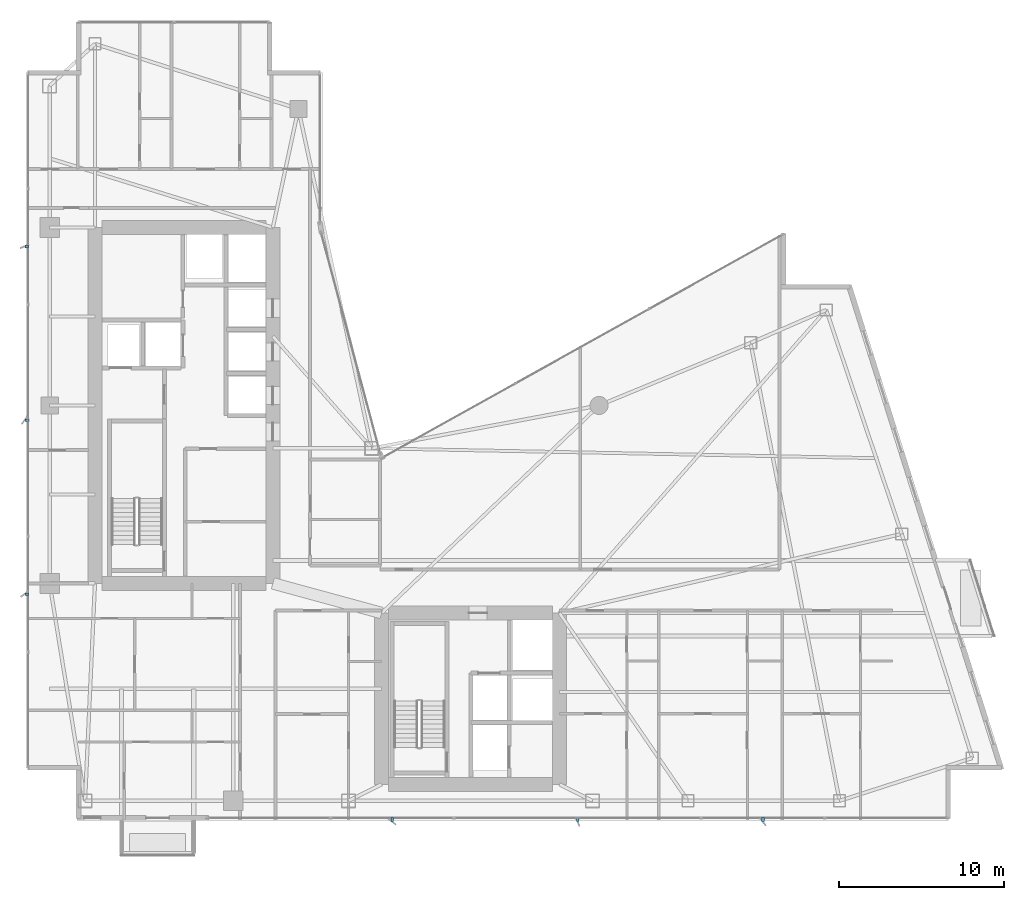
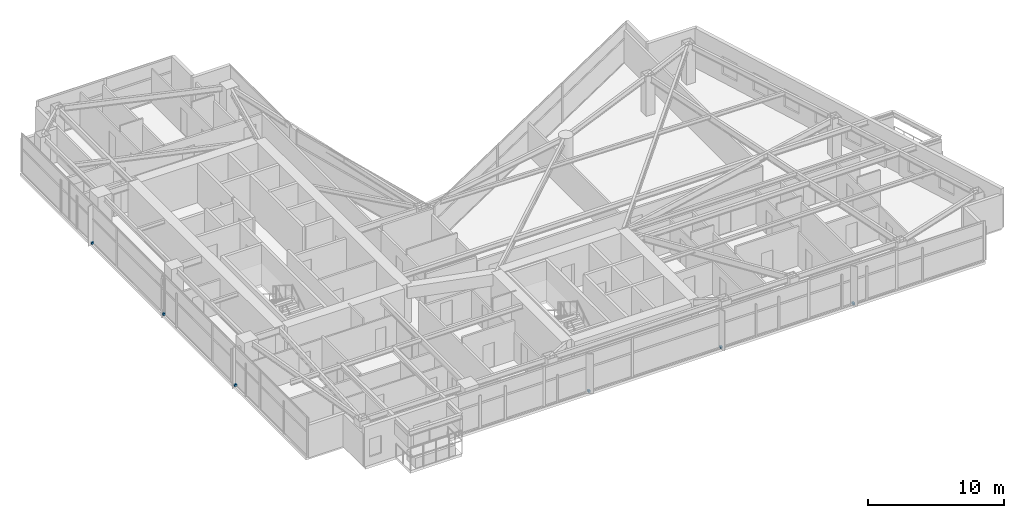
# One storey, part 26 of 28: 6 discrete accessories.
"""IFC4 building model written with IfcOpenShell, lengths in metres."""

from ifc_helpers import new_model, si_unit, direction, frame, origin, origin_2d, place, context, subcontext, project, spatial, rectangle, extrude, material, type_object, element, save


model = new_model("IFC4")

# Units and contexts
model_context = context("Model", 3, precision=1e-05, world=origin(), true_north=direction((0.0, 1.0)))
body_context = subcontext(model_context, "Body", "Model", "MODEL_VIEW")
ifc_project = project(units=[si_unit("LENGTHUNIT", "METRE"), si_unit("AREAUNIT", "SQUARE_METRE"), si_unit("VOLUMEUNIT", "CUBIC_METRE"), si_unit("PLANEANGLEUNIT", "RADIAN"), si_unit("MASSUNIT", "GRAM", prefix="KILO")], contexts=[model_context])

# Site, building, storey
site_placement = place(None, origin())
site = spatial("IfcSite", under=ifc_project, at=site_placement, CompositionType="ELEMENT")
building_placement = place(site_placement, origin())
building = spatial("IfcBuilding", under=site, at=building_placement, Name="Calvorn Quay Hotel", CompositionType="ELEMENT")
storey_placement = place(building_placement, frame((0.0, 0.0, 152.300048828125)))
storey = spatial("IfcBuildingStorey", under=building, at=storey_placement, Name="L37", CompositionType="ELEMENT", Elevation=152.300048828125)

# Discrete accessories
ifc_material = material(Name="Steel Q355B", Category="steel")
discrete_accessory_type = type_object("IfcDiscreteAccessoryType", Name="ACC-FIN-BRACKET", PredefinedType="BRACKET", material=ifc_material)
for number, where, z_axis, x_axis, name in (
    (1, (0.06005859375, 16.14990234375, 0.02978515625), (0.0, 0.0, 1.0), (1.0, 0.0, 0.0), "Fin Anchor Bracket L37-W01"),
    (2, (0.06005859375, 26.699951171875, 0.02978515625), (0.0, 0.0, 1.0), (1.0, 0.0, 0.0), "Fin Anchor Bracket L37-W02"),
    (3, (0.06005859375, 37.25, 0.02978515625), (0.0, 0.0, 1.0), (1.0, 0.0, 0.0), "Fin Anchor Bracket L37-W03"),
    (4, (22.25, 2.4599609375, 0.02978515625), (0.0, 0.0, 1.0), (0.0, 1.0, 0.0), "Fin Anchor Bracket L37-S01"),
    (5, (33.5, 2.4599609375, 0.02978515625), (0.0, 0.0, 1.0), (0.0, 1.0, 0.0), "Fin Anchor Bracket L37-S02"),
    (6, (44.75, 2.4599609375, 0.02978515625), (0.0, 0.0, 1.0), (0.0, 1.0, 0.0), "Fin Anchor Bracket L37-S03"),
):
    element("IfcDiscreteAccessory", number, at=place(storey_placement, frame(where, z_axis=z_axis, x_axis=x_axis)), inside=storey, type_object=discrete_accessory_type, Name=name, PredefinedType="BRACKET", context=body_context, shape_type="SweptSolid", body=[
        extrude(rectangle(XDim=0.239990234375, YDim=0.159912109375, at=origin_2d()), origin(), (0.0, 0.0, 1.0), 0.179931640625),
    ])

save(model, "model.ifc")
